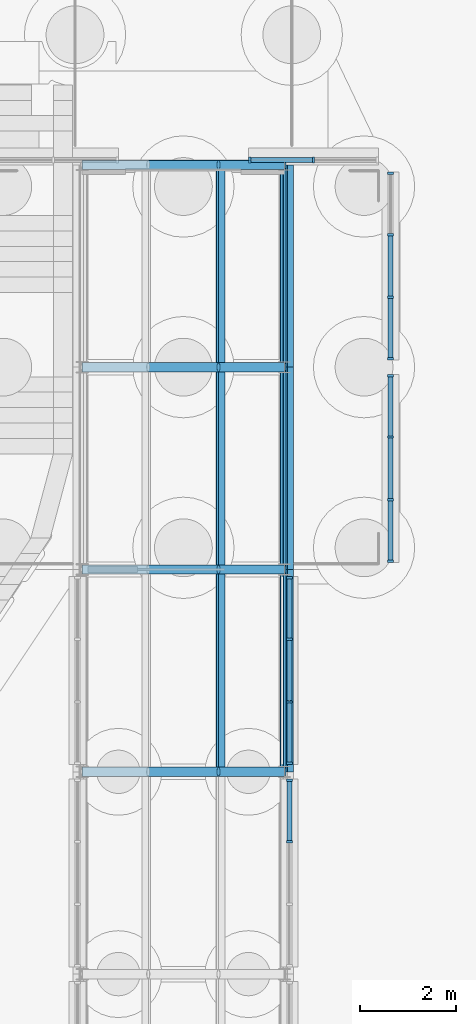
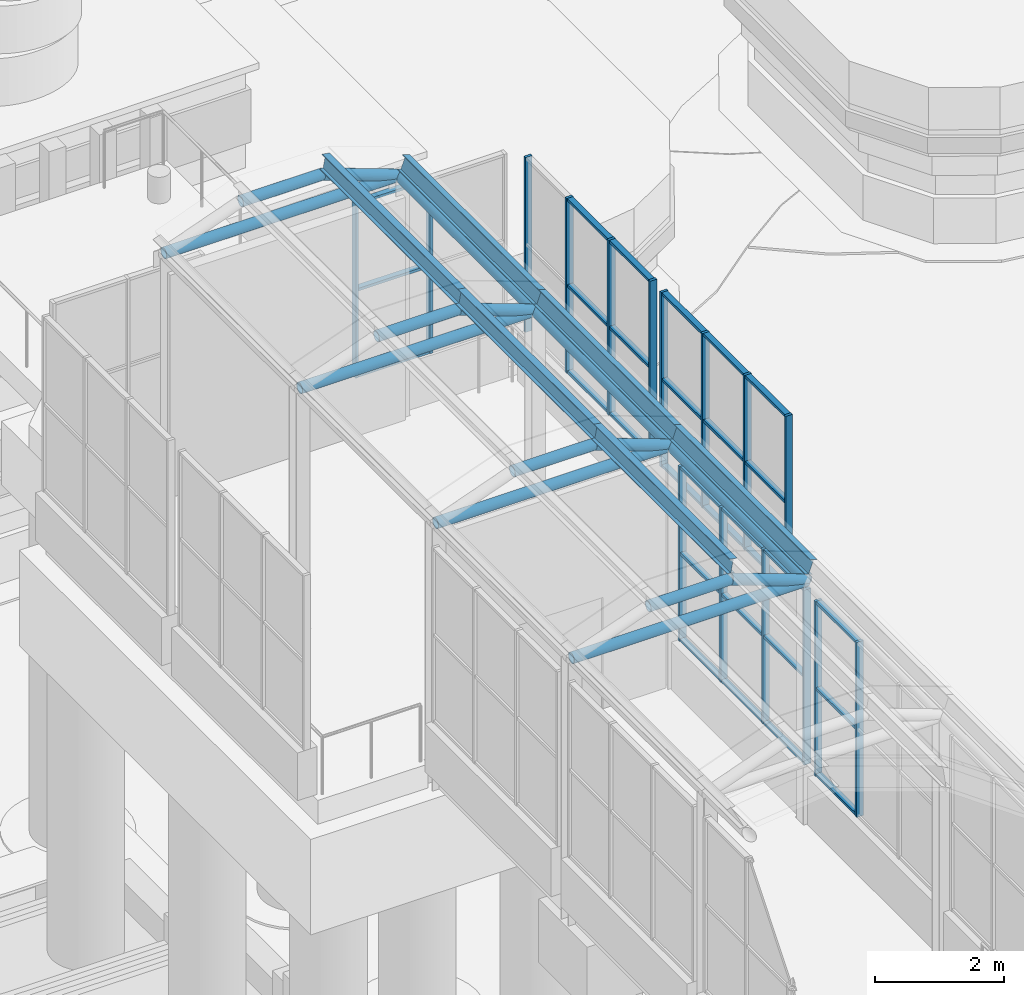
# One storey, part 68 of 222: 56 members, 11 beams, 5 elements without a shape of their own.
"""IFC4 building model written with IfcOpenShell, lengths in metres."""

from ifc_helpers import new_model, si_unit, direction, frame, origin, origin_2d, place, context, subcontext, project, spatial, rectangle, hollow_circle, i_section, extrude, material, material_profile, profile_set, type_object, element, aggregate, save


model = new_model("IFC4")

# Units and contexts
model_context = context("Model", 3, precision=1e-05, world=origin(), true_north=direction((0.0, 1.0)))
body_context = subcontext(model_context, "Body", "Model", "MODEL_VIEW")
ifc_project = project(units=[si_unit("LENGTHUNIT", "METRE"), si_unit("AREAUNIT", "SQUARE_METRE"), si_unit("VOLUMEUNIT", "CUBIC_METRE"), si_unit("PLANEANGLEUNIT", "RADIAN"), si_unit("MASSUNIT", "GRAM", prefix="KILO")], contexts=[model_context])

# Site, building, storey
site_placement = place(None, origin())
site = spatial("IfcSite", under=ifc_project, at=site_placement, CompositionType="ELEMENT")
building_placement = place(site_placement, origin())
building = spatial("IfcBuilding", under=site, at=building_placement, Name="Sava Quay Ferry Terminal", CompositionType="ELEMENT")
storey_placement = place(building_placement, origin())
storey = spatial("IfcBuildingStorey", under=building, at=storey_placement, Name="L00", CompositionType="ELEMENT", Elevation=0.0)

# Beams
ifc_material_1 = material(Name="Steel S355", Category="steel")
ifc_material_profile_1 = material_profile(ifc_material_1, hollow_circle(Radius=0.096923828125, WallThickness=0.008056640625, at=origin_2d()), Name="CHS 193.7 x 8.0")
ifc_profile_set_1 = profile_set([ifc_material_profile_1], Name="Steel S355")
beam_type_1 = type_object("IfcBeamType", Name="Gallery eave beam CHS 193.7x8", PredefinedType="BEAM", material=ifc_profile_set_1)
beam_1_placement = place(storey_placement, frame((50.39990234375, 130.199951171875, 4.5), z_axis=(0.0, 1.0, 0.0), x_axis=(-1.0, 0.0, 0.0)))
element("IfcBeam", 1, at=beam_1_placement, inside=storey, type_object=beam_type_1, Name="Boarding gallery B1 eave beam R6", PredefinedType="BEAM", context=body_context, shape_type="SweptSolid", body=[
    extrude(hollow_circle(Radius=0.096923828125, WallThickness=0.008056640625, at=origin_2d()), origin(), (0.0, 0.0, 1.0), 4.199951171875),
])
beam_2_placement = place(storey_placement, frame((50.39990234375, 134.39990234375, 4.5), z_axis=(0.0, 1.0, 0.0), x_axis=(-1.0, 0.0, 0.0)))
element("IfcBeam", 2, at=beam_2_placement, inside=storey, type_object=beam_type_1, Name="Boarding gallery B1 eave beam R7", PredefinedType="BEAM", context=body_context, shape_type="SweptSolid", body=[
    extrude(hollow_circle(Radius=0.096923828125, WallThickness=0.008056640625, at=origin_2d()), origin(), (0.0, 0.0, 1.0), 4.2001953125),
])
beam_3_placement = place(storey_placement, frame((50.39990234375, 138.60009765625, 4.5), z_axis=(0.0, 1.0, 0.0), x_axis=(-1.0, 0.0, 0.0)))
element("IfcBeam", 3, at=beam_3_placement, inside=storey, type_object=beam_type_1, Name="Boarding gallery B1 eave beam R8", PredefinedType="BEAM", context=body_context, shape_type="SweptSolid", body=[
    extrude(hollow_circle(Radius=0.096923828125, WallThickness=0.008056640625, at=origin_2d()), origin(), (0.0, 0.0, 1.0), 4.199951171875),
])

# Members
ifc_material_2 = material(Name="Steel S355", Category="steel")
ifc_material_profile_2 = material_profile(ifc_material_2, i_section(OverallWidth=0.135009765625, OverallDepth=0.27001953125, WebThickness=0.006591796875, FlangeThickness=0.01025390625, at=origin_2d()), Name="IPE 270")
ifc_profile_set_2 = profile_set([ifc_material_profile_2], Name="Steel S355")
member_type_1 = type_object("IfcMemberType", Name="Gallery purlin IPE 270", PredefinedType="PURLIN", material=ifc_profile_set_2)
for number, where, z_axis, x_axis, name in (
    (4, (49.0703125, 130.199951171875, 5.230712890625), (0.0, 1.0, 0.0), (-0.984807753012, 0.0, 0.173648177667), "Boarding gallery B1 purlin bay 6 V2"),
    (5, (50.479248046875, 130.199951171875, 4.718017578125), (0.0, 1.0, 0.0), (-0.939692620786, 0.0, 0.342020143326), "Boarding gallery B1 edge purlin bay 6 V3"),
):
    element("IfcMember", number, at=place(storey_placement, frame(where, z_axis=z_axis, x_axis=x_axis)), inside=storey, type_object=member_type_1, Name=name, PredefinedType="PURLIN", context=body_context, shape_type="SweptSolid", body=[
        extrude(i_section(OverallWidth=0.135009765625, OverallDepth=0.27001953125, WebThickness=0.006591796875, FlangeThickness=0.01025390625, at=origin_2d()), origin(), (0.0, 0.0, 1.0), 4.199951171875),
    ])
for number, where, z_axis, x_axis, name in (
    (6, (49.0703125, 134.39990234375, 5.230712890625), (0.0, 1.0, 0.0), (-0.984807753012, 0.0, 0.173648177667), "Boarding gallery B1 purlin bay 7 V2"),
    (7, (50.479248046875, 134.39990234375, 4.718017578125), (0.0, 1.0, 0.0), (-0.939692620786, 0.0, 0.342020143326), "Boarding gallery B1 edge purlin bay 7 V3"),
):
    element("IfcMember", number, at=place(storey_placement, frame(where, z_axis=z_axis, x_axis=x_axis)), inside=storey, type_object=member_type_1, Name=name, PredefinedType="PURLIN", context=body_context, shape_type="SweptSolid", body=[
        extrude(i_section(OverallWidth=0.135009765625, OverallDepth=0.27001953125, WebThickness=0.006591796875, FlangeThickness=0.01025390625, at=origin_2d()), origin(), (0.0, 0.0, 1.0), 4.2001953125),
    ])
for number, where, z_axis, x_axis, name in (
    (8, (49.0703125, 138.60009765625, 5.230712890625), (0.0, 1.0, 0.0), (-0.984807753012, 0.0, 0.173648177667), "Boarding gallery B1 purlin bay 8 V2"),
    (9, (50.479248046875, 138.60009765625, 4.718017578125), (0.0, 1.0, 0.0), (-0.939692620786, 0.0, 0.342020143326), "Boarding gallery B1 edge purlin bay 8 V3"),
):
    element("IfcMember", number, at=place(storey_placement, frame(where, z_axis=z_axis, x_axis=x_axis)), inside=storey, type_object=member_type_1, Name=name, PredefinedType="PURLIN", context=body_context, shape_type="SweptSolid", body=[
        extrude(i_section(OverallWidth=0.135009765625, OverallDepth=0.27001953125, WebThickness=0.006591796875, FlangeThickness=0.01025390625, at=origin_2d()), origin(), (0.0, 0.0, 1.0), 4.199951171875),
    ])

# Beams
ifc_material_3 = material(Name="Steel S355", Category="steel")
ifc_material_profile_3 = material_profile(ifc_material_3, hollow_circle(Radius=0.096923828125, WallThickness=0.008056640625, at=origin_2d()), Name="CHS 193.7 x 8.0")
ifc_profile_set_3 = profile_set([ifc_material_profile_3], Name="Steel S355")
beam_type_2 = type_object("IfcBeamType", Name="Gallery rib CHS 193.7x8", PredefinedType="BEAM", material=ifc_profile_set_3)
beam_4_placement = place(storey_placement, frame((47.570556640625, 130.199951171875, 4.998779296875), z_axis=(1.0, 0.0, 0.0), x_axis=(0.0, 1.0, 0.0)))
element("IfcBeam", 10, at=beam_4_placement, inside=storey, type_object=beam_type_2, Name="Boarding gallery B1 arch rib R5 seg 2", PredefinedType="BEAM", context=body_context, shape_type="SweptSolid", body=[
    extrude(hollow_circle(Radius=0.096923828125, WallThickness=0.008056640625, at=origin_2d()), origin(), (0.0, 0.0, 1.0), 1.458740234375),
])
beam_5_placement = place(storey_placement, frame((49.029296875, 130.199951171875, 4.998779296875), z_axis=(0.939710313144, 0.0, -0.341971530059), x_axis=(0.0, 1.0, 0.0)))
element("IfcBeam", 11, at=beam_5_placement, inside=storey, type_object=beam_type_2, Name="Boarding gallery B1 arch rib R5 seg 3", PredefinedType="BEAM", context=body_context, shape_type="SweptSolid", body=[
    extrude(hollow_circle(Radius=0.096923828125, WallThickness=0.008056640625, at=origin_2d()), origin(), (0.0, 0.0, 1.0), 1.45849609375),
])
beam_6_placement = place(storey_placement, frame((47.570556640625, 134.39990234375, 4.998779296875), z_axis=(1.0, 0.0, 0.0), x_axis=(0.0, 1.0, 0.0)))
element("IfcBeam", 12, at=beam_6_placement, inside=storey, type_object=beam_type_2, Name="Boarding gallery B1 arch rib R6 seg 2", PredefinedType="BEAM", context=body_context, shape_type="SweptSolid", body=[
    extrude(hollow_circle(Radius=0.096923828125, WallThickness=0.008056640625, at=origin_2d()), origin(), (0.0, 0.0, 1.0), 1.458740234375),
])
beam_7_placement = place(storey_placement, frame((49.029296875, 134.39990234375, 4.998779296875), z_axis=(0.939710313144, 0.0, -0.341971530059), x_axis=(0.0, 1.0, 0.0)))
element("IfcBeam", 13, at=beam_7_placement, inside=storey, type_object=beam_type_2, Name="Boarding gallery B1 arch rib R6 seg 3", PredefinedType="BEAM", context=body_context, shape_type="SweptSolid", body=[
    extrude(hollow_circle(Radius=0.096923828125, WallThickness=0.008056640625, at=origin_2d()), origin(), (0.0, 0.0, 1.0), 1.45849609375),
])
beam_8_placement = place(storey_placement, frame((47.570556640625, 138.60009765625, 4.998779296875), z_axis=(1.0, 0.0, 0.0), x_axis=(0.0, 1.0, 0.0)))
element("IfcBeam", 14, at=beam_8_placement, inside=storey, type_object=beam_type_2, Name="Boarding gallery B1 arch rib R7 seg 2", PredefinedType="BEAM", context=body_context, shape_type="SweptSolid", body=[
    extrude(hollow_circle(Radius=0.096923828125, WallThickness=0.008056640625, at=origin_2d()), origin(), (0.0, 0.0, 1.0), 1.458740234375),
])
beam_9_placement = place(storey_placement, frame((49.029296875, 138.60009765625, 4.998779296875), z_axis=(0.939710313144, 0.0, -0.341971530059), x_axis=(0.0, 1.0, 0.0)))
element("IfcBeam", 15, at=beam_9_placement, inside=storey, type_object=beam_type_2, Name="Boarding gallery B1 arch rib R7 seg 3", PredefinedType="BEAM", context=body_context, shape_type="SweptSolid", body=[
    extrude(hollow_circle(Radius=0.096923828125, WallThickness=0.008056640625, at=origin_2d()), origin(), (0.0, 0.0, 1.0), 1.45849609375),
])
beam_10_placement = place(storey_placement, frame((47.570556640625, 142.800048828125, 4.998779296875), z_axis=(1.0, 0.0, 0.0), x_axis=(0.0, 1.0, 0.0)))
element("IfcBeam", 16, at=beam_10_placement, inside=storey, type_object=beam_type_2, Name="Boarding gallery B1 arch rib R8 seg 2", PredefinedType="BEAM", context=body_context, shape_type="SweptSolid", body=[
    extrude(hollow_circle(Radius=0.096923828125, WallThickness=0.008056640625, at=origin_2d()), origin(), (0.0, 0.0, 1.0), 1.458740234375),
])
beam_11_placement = place(storey_placement, frame((49.029296875, 142.800048828125, 4.998779296875), z_axis=(0.939710313144, 0.0, -0.341971530059), x_axis=(0.0, 1.0, 0.0)))
element("IfcBeam", 17, at=beam_11_placement, inside=storey, type_object=beam_type_2, Name="Boarding gallery B1 arch rib R8 seg 3", PredefinedType="BEAM", context=body_context, shape_type="SweptSolid", body=[
    extrude(hollow_circle(Radius=0.096923828125, WallThickness=0.008056640625, at=origin_2d()), origin(), (0.0, 0.0, 1.0), 1.45849609375),
])

# Members
ifc_material_4 = material(Name="Steel S355", Category="steel")
ifc_material_profile_4 = material_profile(ifc_material_4, hollow_circle(Radius=0.096923828125, WallThickness=0.008056640625, at=origin_2d()), Name="CHS 193.7 x 8.0")
ifc_profile_set_4 = profile_set([ifc_material_profile_4], Name="Steel S355")
member_type_2 = type_object("IfcMemberType", Name="Gallery tie CHS 193.7x8", PredefinedType="USERDEFINED", material=ifc_profile_set_4)
for number, where, z_axis, x_axis, name in (
    (18, (46.199951171875, 130.199951171875, 4.5), (1.0, 0.0, 0.0), (0.0, 1.0, 0.0), "Boarding gallery B1 arch tie R5"),
    (19, (46.199951171875, 134.39990234375, 4.5), (1.0, 0.0, 0.0), (0.0, 1.0, 0.0), "Boarding gallery B1 arch tie R6"),
    (20, (46.199951171875, 138.60009765625, 4.5), (1.0, 0.0, 0.0), (0.0, 1.0, 0.0), "Boarding gallery B1 arch tie R7"),
    (21, (46.199951171875, 142.800048828125, 4.5), (1.0, 0.0, 0.0), (0.0, 1.0, 0.0), "Boarding gallery B1 arch tie R8"),
):
    element("IfcMember", number, at=place(storey_placement, frame(where, z_axis=z_axis, x_axis=x_axis)), inside=storey, type_object=member_type_2, Name=name, ObjectType="ARCH TIE", PredefinedType="USERDEFINED", context=body_context, shape_type="SweptSolid", body=[
        extrude(hollow_circle(Radius=0.096923828125, WallThickness=0.008056640625, at=origin_2d()), origin(), (0.0, 0.0, 1.0), 4.199951171875),
    ])

# Curtain wall, members
ifc_material_5 = material(Name="Aluminium and glass curtain wall, double glazed", Category="aluminium")
curtain_wall_type = type_object("IfcCurtainWallType", Name="Curtain wall CW-B gallery", PredefinedType="NOTDEFINED", material=ifc_material_5)
curtain_wall_1_placement = place(storey_placement, origin())
curtain_wall_1 = element("IfcCurtainWall", 22, at=curtain_wall_1_placement, inside=storey, type_object=curtain_wall_type, Name="Curtain wall B1-E L00 bay 5", PredefinedType="NOTDEFINED")
ifc_material_6 = material(Name="Aluminium EN AW-6063 T6", Category="aluminium")
ifc_material_profile_5 = material_profile(ifc_material_6, rectangle(XDim=0.1201171875, YDim=0.050048828125, at=origin_2d()), Name="Mullion 50x120 aluminium")
ifc_profile_set_5 = profile_set([ifc_material_profile_5], Name="Aluminium EN AW-6063 T6")
member_type_3 = type_object("IfcMemberType", Name="Mullion 50x120 aluminium", PredefinedType="MULLION", material=ifc_profile_set_5)
member_1_placement = place(storey_placement, frame((50.5, 128.75, 0.89990234375), z_axis=(0.0, 0.0, 1.0), x_axis=(-1.0, 0.0, 0.0)))
member_1 = element("IfcMember", 23, at=member_1_placement, type_object=member_type_3, Name="CW5 mullion 3", PredefinedType="MULLION", context=body_context, shape_type="SweptSolid", body=[
    extrude(rectangle(XDim=0.1201171875, YDim=0.050048828125, at=origin_2d()), origin(), (0.0, 0.0, 1.0), 3.300048828125),
])
member_2_placement = place(storey_placement, frame((50.5, 130.02490234375, 0.89990234375), z_axis=(0.0, 0.0, 1.0), x_axis=(-1.0, 0.0, 0.0)))
member_2 = element("IfcMember", 24, at=member_2_placement, type_object=member_type_3, Name="CW5 mullion 4", PredefinedType="MULLION", context=body_context, shape_type="SweptSolid", body=[
    extrude(rectangle(XDim=0.1201171875, YDim=0.050048828125, at=origin_2d()), origin(), (0.0, 0.0, 1.0), 3.300048828125),
])

curtain_wall_2_placement = place(storey_placement, origin())
curtain_wall_2 = element("IfcCurtainWall", 25, at=curtain_wall_2_placement, inside=storey, type_object=curtain_wall_type, Name="Curtain wall B1-E L00 bay 6", PredefinedType="NOTDEFINED")
member_3_placement = place(storey_placement, frame((50.5, 130.375, 0.89990234375), z_axis=(0.0, 0.0, 1.0), x_axis=(-1.0, 0.0, 0.0)))
member_3 = element("IfcMember", 26, at=member_3_placement, type_object=member_type_3, Name="CW6 mullion 1", PredefinedType="MULLION", context=body_context, shape_type="SweptSolid", body=[
    extrude(rectangle(XDim=0.1201171875, YDim=0.050048828125, at=origin_2d()), origin(), (0.0, 0.0, 1.0), 3.300048828125),
])
member_4_placement = place(storey_placement, frame((50.5, 131.64990234375, 0.89990234375), z_axis=(0.0, 0.0, 1.0), x_axis=(-1.0, 0.0, 0.0)))
member_4 = element("IfcMember", 27, at=member_4_placement, type_object=member_type_3, Name="CW6 mullion 2", PredefinedType="MULLION", context=body_context, shape_type="SweptSolid", body=[
    extrude(rectangle(XDim=0.1201171875, YDim=0.050048828125, at=origin_2d()), origin(), (0.0, 0.0, 1.0), 3.300048828125),
])
member_5_placement = place(storey_placement, frame((50.5, 132.949951171875, 0.89990234375), z_axis=(0.0, 0.0, 1.0), x_axis=(-1.0, 0.0, 0.0)))
member_5 = element("IfcMember", 28, at=member_5_placement, type_object=member_type_3, Name="CW6 mullion 3", PredefinedType="MULLION", context=body_context, shape_type="SweptSolid", body=[
    extrude(rectangle(XDim=0.1201171875, YDim=0.050048828125, at=origin_2d()), origin(), (0.0, 0.0, 1.0), 3.300048828125),
])
member_6_placement = place(storey_placement, frame((50.5, 134.22509765625, 0.89990234375), z_axis=(0.0, 0.0, 1.0), x_axis=(-1.0, 0.0, 0.0)))
member_6 = element("IfcMember", 29, at=member_6_placement, type_object=member_type_3, Name="CW6 mullion 4", PredefinedType="MULLION", context=body_context, shape_type="SweptSolid", body=[
    extrude(rectangle(XDim=0.1201171875, YDim=0.050048828125, at=origin_2d()), origin(), (0.0, 0.0, 1.0), 3.300048828125),
])

curtain_wall_3_placement = place(storey_placement, origin())
curtain_wall_3 = element("IfcCurtainWall", 30, at=curtain_wall_3_placement, inside=storey, type_object=curtain_wall_type, Name="Curtain wall B1-HE L00 bay 1", PredefinedType="NOTDEFINED")
member_7_placement = place(storey_placement, frame((52.60009765625, 134.574951171875, 0.89990234375), z_axis=(0.0, 0.0, 1.0), x_axis=(-1.0, 0.0, 0.0)))
member_7 = element("IfcMember", 31, at=member_7_placement, type_object=member_type_3, Name="CW7 mullion 1", PredefinedType="MULLION", context=body_context, shape_type="SweptSolid", body=[
    extrude(rectangle(XDim=0.1201171875, YDim=0.050048828125, at=origin_2d()), origin(), (0.0, 0.0, 1.0), 3.300048828125),
])
member_8_placement = place(storey_placement, frame((52.60009765625, 135.85009765625, 0.89990234375), z_axis=(0.0, 0.0, 1.0), x_axis=(-1.0, 0.0, 0.0)))
member_8 = element("IfcMember", 32, at=member_8_placement, type_object=member_type_3, Name="CW7 mullion 2", PredefinedType="MULLION", context=body_context, shape_type="SweptSolid", body=[
    extrude(rectangle(XDim=0.1201171875, YDim=0.050048828125, at=origin_2d()), origin(), (0.0, 0.0, 1.0), 3.300048828125),
])
member_9_placement = place(storey_placement, frame((52.60009765625, 137.14990234375, 0.89990234375), z_axis=(0.0, 0.0, 1.0), x_axis=(-1.0, 0.0, 0.0)))
member_9 = element("IfcMember", 33, at=member_9_placement, type_object=member_type_3, Name="CW7 mullion 3", PredefinedType="MULLION", context=body_context, shape_type="SweptSolid", body=[
    extrude(rectangle(XDim=0.1201171875, YDim=0.050048828125, at=origin_2d()), origin(), (0.0, 0.0, 1.0), 3.300048828125),
])
member_10_placement = place(storey_placement, frame((52.60009765625, 138.425048828125, 0.89990234375), z_axis=(0.0, 0.0, 1.0), x_axis=(-1.0, 0.0, 0.0)))
member_10 = element("IfcMember", 34, at=member_10_placement, type_object=member_type_3, Name="CW7 mullion 4", PredefinedType="MULLION", context=body_context, shape_type="SweptSolid", body=[
    extrude(rectangle(XDim=0.1201171875, YDim=0.050048828125, at=origin_2d()), origin(), (0.0, 0.0, 1.0), 3.300048828125),
])

curtain_wall_4_placement = place(storey_placement, origin())
curtain_wall_4 = element("IfcCurtainWall", 35, at=curtain_wall_4_placement, inside=storey, type_object=curtain_wall_type, Name="Curtain wall B1-HE L00 bay 2", PredefinedType="NOTDEFINED")
member_11_placement = place(storey_placement, frame((52.60009765625, 138.77490234375, 0.89990234375), z_axis=(0.0, 0.0, 1.0), x_axis=(-1.0, 0.0, 0.0)))
member_11 = element("IfcMember", 36, at=member_11_placement, type_object=member_type_3, Name="CW8 mullion 1", PredefinedType="MULLION", context=body_context, shape_type="SweptSolid", body=[
    extrude(rectangle(XDim=0.1201171875, YDim=0.050048828125, at=origin_2d()), origin(), (0.0, 0.0, 1.0), 3.300048828125),
])
member_12_placement = place(storey_placement, frame((52.60009765625, 140.050048828125, 0.89990234375), z_axis=(0.0, 0.0, 1.0), x_axis=(-1.0, 0.0, 0.0)))
member_12 = element("IfcMember", 37, at=member_12_placement, type_object=member_type_3, Name="CW8 mullion 2", PredefinedType="MULLION", context=body_context, shape_type="SweptSolid", body=[
    extrude(rectangle(XDim=0.1201171875, YDim=0.050048828125, at=origin_2d()), origin(), (0.0, 0.0, 1.0), 3.300048828125),
])
member_13_placement = place(storey_placement, frame((52.60009765625, 141.35009765625, 0.89990234375), z_axis=(0.0, 0.0, 1.0), x_axis=(-1.0, 0.0, 0.0)))
member_13 = element("IfcMember", 38, at=member_13_placement, type_object=member_type_3, Name="CW8 mullion 3", PredefinedType="MULLION", context=body_context, shape_type="SweptSolid", body=[
    extrude(rectangle(XDim=0.1201171875, YDim=0.050048828125, at=origin_2d()), origin(), (0.0, 0.0, 1.0), 3.300048828125),
])
member_14_placement = place(storey_placement, frame((52.60009765625, 142.625, 0.89990234375), z_axis=(0.0, 0.0, 1.0), x_axis=(-1.0, 0.0, 0.0)))
member_14 = element("IfcMember", 39, at=member_14_placement, type_object=member_type_3, Name="CW8 mullion 4", PredefinedType="MULLION", context=body_context, shape_type="SweptSolid", body=[
    extrude(rectangle(XDim=0.1201171875, YDim=0.050048828125, at=origin_2d()), origin(), (0.0, 0.0, 1.0), 3.300048828125),
])

curtain_wall_5_placement = place(storey_placement, origin())
curtain_wall_5 = element("IfcCurtainWall", 40, at=curtain_wall_5_placement, inside=storey, type_object=curtain_wall_type, Name="Curtain wall B1-HN L00 bay 2", PredefinedType="NOTDEFINED")
member_15_placement = place(storey_placement, frame((49.675048828125, 142.89990234375, 0.89990234375), z_axis=(0.0, 0.0, 1.0), x_axis=(0.0, 1.0, 0.0)))
member_15 = element("IfcMember", 41, at=member_15_placement, type_object=member_type_3, Name="CW10 mullion 1", PredefinedType="MULLION", context=body_context, shape_type="SweptSolid", body=[
    extrude(rectangle(XDim=0.1201171875, YDim=0.050048828125, at=origin_2d()), origin(), (0.0, 0.0, 1.0), 3.300048828125),
])
member_16_placement = place(storey_placement, frame((51.0, 142.89990234375, 0.89990234375), z_axis=(0.0, 0.0, 1.0), x_axis=(0.0, 1.0, 0.0)))
member_16 = element("IfcMember", 42, at=member_16_placement, type_object=member_type_3, Name="CW10 mullion 2", PredefinedType="MULLION", context=body_context, shape_type="SweptSolid", body=[
    extrude(rectangle(XDim=0.1201171875, YDim=0.050048828125, at=origin_2d()), origin(), (0.0, 0.0, 1.0), 3.300048828125),
])

# Member
ifc_material_7 = material(Name="Aluminium EN AW-6063 T6", Category="aluminium")
ifc_material_profile_6 = material_profile(ifc_material_7, rectangle(XDim=0.10009765625, YDim=0.050048828125, at=origin_2d()), Name="Transom 50x100 aluminium")
ifc_profile_set_6 = profile_set([ifc_material_profile_6], Name="Aluminium EN AW-6063 T6")
member_type_4 = type_object("IfcMemberType", Name="Transom 50x100 aluminium", PredefinedType="USERDEFINED", material=ifc_profile_set_6)
member_17_placement = place(storey_placement, frame((50.5, 128.77490234375, 0.925048828125), z_axis=(0.0, 1.0, 0.0), x_axis=(-1.0, 0.0, 0.0)))
member_17 = element("IfcMember", 43, at=member_17_placement, type_object=member_type_4, Name="CW5 transom 3.1", ObjectType="TRANSOM", PredefinedType="USERDEFINED", context=body_context, shape_type="SweptSolid", body=[
    extrude(rectangle(XDim=0.10009765625, YDim=0.050048828125, at=origin_2d()), origin(), (0.0, 0.0, 1.0), 1.22509765625),
])

member_18_placement = place(storey_placement, frame((50.5, 128.77490234375, 2.550048828125), z_axis=(0.0, 1.0, 0.0), x_axis=(-1.0, 0.0, 0.0)))
member_18 = element("IfcMember", 44, at=member_18_placement, type_object=member_type_4, Name="CW5 transom 3.2", ObjectType="TRANSOM", PredefinedType="USERDEFINED", context=body_context, shape_type="SweptSolid", body=[
    extrude(rectangle(XDim=0.10009765625, YDim=0.050048828125, at=origin_2d()), origin(), (0.0, 0.0, 1.0), 1.22509765625),
])

member_19_placement = place(storey_placement, frame((50.5, 128.77490234375, 4.175048828125), z_axis=(0.0, 1.0, 0.0), x_axis=(-1.0, 0.0, 0.0)))
member_19 = element("IfcMember", 45, at=member_19_placement, type_object=member_type_4, Name="CW5 transom 3.3", ObjectType="TRANSOM", PredefinedType="USERDEFINED", context=body_context, shape_type="SweptSolid", body=[
    extrude(rectangle(XDim=0.10009765625, YDim=0.050048828125, at=origin_2d()), origin(), (0.0, 0.0, 1.0), 1.22509765625),
])

aggregate(curtain_wall_1, [member_1, member_2, member_17, member_18, member_19])

member_20_placement = place(storey_placement, frame((50.5, 130.39990234375, 0.925048828125), z_axis=(0.0, 1.0, 0.0), x_axis=(-1.0, 0.0, 0.0)))
member_20 = element("IfcMember", 46, at=member_20_placement, type_object=member_type_4, Name="CW6 transom 1.1", ObjectType="TRANSOM", PredefinedType="USERDEFINED", context=body_context, shape_type="SweptSolid", body=[
    extrude(rectangle(XDim=0.10009765625, YDim=0.050048828125, at=origin_2d()), origin(), (0.0, 0.0, 1.0), 1.22509765625),
])

member_21_placement = place(storey_placement, frame((50.5, 130.39990234375, 2.550048828125), z_axis=(0.0, 1.0, 0.0), x_axis=(-1.0, 0.0, 0.0)))
member_21 = element("IfcMember", 47, at=member_21_placement, type_object=member_type_4, Name="CW6 transom 1.2", ObjectType="TRANSOM", PredefinedType="USERDEFINED", context=body_context, shape_type="SweptSolid", body=[
    extrude(rectangle(XDim=0.10009765625, YDim=0.050048828125, at=origin_2d()), origin(), (0.0, 0.0, 1.0), 1.22509765625),
])

member_22_placement = place(storey_placement, frame((50.5, 130.39990234375, 4.175048828125), z_axis=(0.0, 1.0, 0.0), x_axis=(-1.0, 0.0, 0.0)))
member_22 = element("IfcMember", 48, at=member_22_placement, type_object=member_type_4, Name="CW6 transom 1.3", ObjectType="TRANSOM", PredefinedType="USERDEFINED", context=body_context, shape_type="SweptSolid", body=[
    extrude(rectangle(XDim=0.10009765625, YDim=0.050048828125, at=origin_2d()), origin(), (0.0, 0.0, 1.0), 1.22509765625),
])

member_23_placement = place(storey_placement, frame((50.5, 131.675048828125, 0.925048828125), z_axis=(0.0, 1.0, 0.0), x_axis=(-1.0, 0.0, 0.0)))
member_23 = element("IfcMember", 49, at=member_23_placement, type_object=member_type_4, Name="CW6 transom 2.1", ObjectType="TRANSOM", PredefinedType="USERDEFINED", context=body_context, shape_type="SweptSolid", body=[
    extrude(rectangle(XDim=0.10009765625, YDim=0.050048828125, at=origin_2d()), origin(), (0.0, 0.0, 1.0), 1.25),
])

member_24_placement = place(storey_placement, frame((50.5, 131.675048828125, 2.550048828125), z_axis=(0.0, 1.0, 0.0), x_axis=(-1.0, 0.0, 0.0)))
member_24 = element("IfcMember", 50, at=member_24_placement, type_object=member_type_4, Name="CW6 transom 2.2", ObjectType="TRANSOM", PredefinedType="USERDEFINED", context=body_context, shape_type="SweptSolid", body=[
    extrude(rectangle(XDim=0.10009765625, YDim=0.050048828125, at=origin_2d()), origin(), (0.0, 0.0, 1.0), 1.25),
])

member_25_placement = place(storey_placement, frame((50.5, 131.675048828125, 4.175048828125), z_axis=(0.0, 1.0, 0.0), x_axis=(-1.0, 0.0, 0.0)))
member_25 = element("IfcMember", 51, at=member_25_placement, type_object=member_type_4, Name="CW6 transom 2.3", ObjectType="TRANSOM", PredefinedType="USERDEFINED", context=body_context, shape_type="SweptSolid", body=[
    extrude(rectangle(XDim=0.10009765625, YDim=0.050048828125, at=origin_2d()), origin(), (0.0, 0.0, 1.0), 1.25),
])

member_26_placement = place(storey_placement, frame((50.5, 132.97509765625, 0.925048828125), z_axis=(0.0, 1.0, 0.0), x_axis=(-1.0, 0.0, 0.0)))
member_26 = element("IfcMember", 52, at=member_26_placement, type_object=member_type_4, Name="CW6 transom 3.1", ObjectType="TRANSOM", PredefinedType="USERDEFINED", context=body_context, shape_type="SweptSolid", body=[
    extrude(rectangle(XDim=0.10009765625, YDim=0.050048828125, at=origin_2d()), origin(), (0.0, 0.0, 1.0), 1.224853515625),
])

member_27_placement = place(storey_placement, frame((50.5, 132.97509765625, 2.550048828125), z_axis=(0.0, 1.0, 0.0), x_axis=(-1.0, 0.0, 0.0)))
member_27 = element("IfcMember", 53, at=member_27_placement, type_object=member_type_4, Name="CW6 transom 3.2", ObjectType="TRANSOM", PredefinedType="USERDEFINED", context=body_context, shape_type="SweptSolid", body=[
    extrude(rectangle(XDim=0.10009765625, YDim=0.050048828125, at=origin_2d()), origin(), (0.0, 0.0, 1.0), 1.224853515625),
])

member_28_placement = place(storey_placement, frame((50.5, 132.97509765625, 4.175048828125), z_axis=(0.0, 1.0, 0.0), x_axis=(-1.0, 0.0, 0.0)))
member_28 = element("IfcMember", 54, at=member_28_placement, type_object=member_type_4, Name="CW6 transom 3.3", ObjectType="TRANSOM", PredefinedType="USERDEFINED", context=body_context, shape_type="SweptSolid", body=[
    extrude(rectangle(XDim=0.10009765625, YDim=0.050048828125, at=origin_2d()), origin(), (0.0, 0.0, 1.0), 1.224853515625),
])

aggregate(curtain_wall_2, [member_3, member_4, member_5, member_6, member_20, member_21, member_22, member_23, member_24, member_25, member_26, member_27, member_28])

member_29_placement = place(storey_placement, frame((52.60009765625, 134.60009765625, 0.925048828125), z_axis=(0.0, 1.0, 0.0), x_axis=(-1.0, 0.0, 0.0)))
member_29 = element("IfcMember", 55, at=member_29_placement, type_object=member_type_4, Name="CW7 transom 1.1", ObjectType="TRANSOM", PredefinedType="USERDEFINED", context=body_context, shape_type="SweptSolid", body=[
    extrude(rectangle(XDim=0.10009765625, YDim=0.050048828125, at=origin_2d()), origin(), (0.0, 0.0, 1.0), 1.224853515625),
])

member_30_placement = place(storey_placement, frame((52.60009765625, 134.60009765625, 2.550048828125), z_axis=(0.0, 1.0, 0.0), x_axis=(-1.0, 0.0, 0.0)))
member_30 = element("IfcMember", 56, at=member_30_placement, type_object=member_type_4, Name="CW7 transom 1.2", ObjectType="TRANSOM", PredefinedType="USERDEFINED", context=body_context, shape_type="SweptSolid", body=[
    extrude(rectangle(XDim=0.10009765625, YDim=0.050048828125, at=origin_2d()), origin(), (0.0, 0.0, 1.0), 1.224853515625),
])

member_31_placement = place(storey_placement, frame((52.60009765625, 134.60009765625, 4.175048828125), z_axis=(0.0, 1.0, 0.0), x_axis=(-1.0, 0.0, 0.0)))
member_31 = element("IfcMember", 57, at=member_31_placement, type_object=member_type_4, Name="CW7 transom 1.3", ObjectType="TRANSOM", PredefinedType="USERDEFINED", context=body_context, shape_type="SweptSolid", body=[
    extrude(rectangle(XDim=0.10009765625, YDim=0.050048828125, at=origin_2d()), origin(), (0.0, 0.0, 1.0), 1.224853515625),
])

member_32_placement = place(storey_placement, frame((52.60009765625, 135.875, 0.925048828125), z_axis=(0.0, 1.0, 0.0), x_axis=(-1.0, 0.0, 0.0)))
member_32 = element("IfcMember", 58, at=member_32_placement, type_object=member_type_4, Name="CW7 transom 2.1", ObjectType="TRANSOM", PredefinedType="USERDEFINED", context=body_context, shape_type="SweptSolid", body=[
    extrude(rectangle(XDim=0.10009765625, YDim=0.050048828125, at=origin_2d()), origin(), (0.0, 0.0, 1.0), 1.25),
])

member_33_placement = place(storey_placement, frame((52.60009765625, 135.875, 2.550048828125), z_axis=(0.0, 1.0, 0.0), x_axis=(-1.0, 0.0, 0.0)))
member_33 = element("IfcMember", 59, at=member_33_placement, type_object=member_type_4, Name="CW7 transom 2.2", ObjectType="TRANSOM", PredefinedType="USERDEFINED", context=body_context, shape_type="SweptSolid", body=[
    extrude(rectangle(XDim=0.10009765625, YDim=0.050048828125, at=origin_2d()), origin(), (0.0, 0.0, 1.0), 1.25),
])

member_34_placement = place(storey_placement, frame((52.60009765625, 135.875, 4.175048828125), z_axis=(0.0, 1.0, 0.0), x_axis=(-1.0, 0.0, 0.0)))
member_34 = element("IfcMember", 60, at=member_34_placement, type_object=member_type_4, Name="CW7 transom 2.3", ObjectType="TRANSOM", PredefinedType="USERDEFINED", context=body_context, shape_type="SweptSolid", body=[
    extrude(rectangle(XDim=0.10009765625, YDim=0.050048828125, at=origin_2d()), origin(), (0.0, 0.0, 1.0), 1.25),
])

member_35_placement = place(storey_placement, frame((52.60009765625, 137.175048828125, 0.925048828125), z_axis=(0.0, 1.0, 0.0), x_axis=(-1.0, 0.0, 0.0)))
member_35 = element("IfcMember", 61, at=member_35_placement, type_object=member_type_4, Name="CW7 transom 3.1", ObjectType="TRANSOM", PredefinedType="USERDEFINED", context=body_context, shape_type="SweptSolid", body=[
    extrude(rectangle(XDim=0.10009765625, YDim=0.050048828125, at=origin_2d()), origin(), (0.0, 0.0, 1.0), 1.224853515625),
])

member_36_placement = place(storey_placement, frame((52.60009765625, 137.175048828125, 2.550048828125), z_axis=(0.0, 1.0, 0.0), x_axis=(-1.0, 0.0, 0.0)))
member_36 = element("IfcMember", 62, at=member_36_placement, type_object=member_type_4, Name="CW7 transom 3.2", ObjectType="TRANSOM", PredefinedType="USERDEFINED", context=body_context, shape_type="SweptSolid", body=[
    extrude(rectangle(XDim=0.10009765625, YDim=0.050048828125, at=origin_2d()), origin(), (0.0, 0.0, 1.0), 1.224853515625),
])

member_37_placement = place(storey_placement, frame((52.60009765625, 137.175048828125, 4.175048828125), z_axis=(0.0, 1.0, 0.0), x_axis=(-1.0, 0.0, 0.0)))
member_37 = element("IfcMember", 63, at=member_37_placement, type_object=member_type_4, Name="CW7 transom 3.3", ObjectType="TRANSOM", PredefinedType="USERDEFINED", context=body_context, shape_type="SweptSolid", body=[
    extrude(rectangle(XDim=0.10009765625, YDim=0.050048828125, at=origin_2d()), origin(), (0.0, 0.0, 1.0), 1.224853515625),
])

aggregate(curtain_wall_3, [member_7, member_8, member_9, member_10, member_29, member_30, member_31, member_32, member_33, member_34, member_35, member_36, member_37])

member_38_placement = place(storey_placement, frame((52.60009765625, 138.800048828125, 0.925048828125), z_axis=(0.0, 1.0, 0.0), x_axis=(-1.0, 0.0, 0.0)))
member_38 = element("IfcMember", 64, at=member_38_placement, type_object=member_type_4, Name="CW8 transom 1.1", ObjectType="TRANSOM", PredefinedType="USERDEFINED", context=body_context, shape_type="SweptSolid", body=[
    extrude(rectangle(XDim=0.10009765625, YDim=0.050048828125, at=origin_2d()), origin(), (0.0, 0.0, 1.0), 1.224853515625),
])

member_39_placement = place(storey_placement, frame((52.60009765625, 138.800048828125, 2.550048828125), z_axis=(0.0, 1.0, 0.0), x_axis=(-1.0, 0.0, 0.0)))
member_39 = element("IfcMember", 65, at=member_39_placement, type_object=member_type_4, Name="CW8 transom 1.2", ObjectType="TRANSOM", PredefinedType="USERDEFINED", context=body_context, shape_type="SweptSolid", body=[
    extrude(rectangle(XDim=0.10009765625, YDim=0.050048828125, at=origin_2d()), origin(), (0.0, 0.0, 1.0), 1.224853515625),
])

member_40_placement = place(storey_placement, frame((52.60009765625, 138.800048828125, 4.175048828125), z_axis=(0.0, 1.0, 0.0), x_axis=(-1.0, 0.0, 0.0)))
member_40 = element("IfcMember", 66, at=member_40_placement, type_object=member_type_4, Name="CW8 transom 1.3", ObjectType="TRANSOM", PredefinedType="USERDEFINED", context=body_context, shape_type="SweptSolid", body=[
    extrude(rectangle(XDim=0.10009765625, YDim=0.050048828125, at=origin_2d()), origin(), (0.0, 0.0, 1.0), 1.224853515625),
])

member_41_placement = place(storey_placement, frame((52.60009765625, 140.074951171875, 0.925048828125), z_axis=(0.0, 1.0, 0.0), x_axis=(-1.0, 0.0, 0.0)))
member_41 = element("IfcMember", 67, at=member_41_placement, type_object=member_type_4, Name="CW8 transom 2.1", ObjectType="TRANSOM", PredefinedType="USERDEFINED", context=body_context, shape_type="SweptSolid", body=[
    extrude(rectangle(XDim=0.10009765625, YDim=0.050048828125, at=origin_2d()), origin(), (0.0, 0.0, 1.0), 1.25),
])

member_42_placement = place(storey_placement, frame((52.60009765625, 140.074951171875, 2.550048828125), z_axis=(0.0, 1.0, 0.0), x_axis=(-1.0, 0.0, 0.0)))
member_42 = element("IfcMember", 68, at=member_42_placement, type_object=member_type_4, Name="CW8 transom 2.2", ObjectType="TRANSOM", PredefinedType="USERDEFINED", context=body_context, shape_type="SweptSolid", body=[
    extrude(rectangle(XDim=0.10009765625, YDim=0.050048828125, at=origin_2d()), origin(), (0.0, 0.0, 1.0), 1.25),
])

member_43_placement = place(storey_placement, frame((52.60009765625, 140.074951171875, 4.175048828125), z_axis=(0.0, 1.0, 0.0), x_axis=(-1.0, 0.0, 0.0)))
member_43 = element("IfcMember", 69, at=member_43_placement, type_object=member_type_4, Name="CW8 transom 2.3", ObjectType="TRANSOM", PredefinedType="USERDEFINED", context=body_context, shape_type="SweptSolid", body=[
    extrude(rectangle(XDim=0.10009765625, YDim=0.050048828125, at=origin_2d()), origin(), (0.0, 0.0, 1.0), 1.25),
])

aggregate(curtain_wall_4, [member_11, member_12, member_13, member_14, member_38, member_39, member_40, member_41, member_42, member_43])

member_44_placement = place(storey_placement, frame((49.699951171875, 142.89990234375, 0.925048828125), z_axis=(1.0, 0.0, 0.0), x_axis=(0.0, 1.0, 0.0)))
member_44 = element("IfcMember", 70, at=member_44_placement, type_object=member_type_4, Name="CW10 transom 1.1", ObjectType="TRANSOM", PredefinedType="USERDEFINED", context=body_context, shape_type="SweptSolid", body=[
    extrude(rectangle(XDim=0.10009765625, YDim=0.050048828125, at=origin_2d()), origin(), (0.0, 0.0, 1.0), 1.275146484375),
])

member_45_placement = place(storey_placement, frame((49.699951171875, 142.89990234375, 2.550048828125), z_axis=(1.0, 0.0, 0.0), x_axis=(0.0, 1.0, 0.0)))
member_45 = element("IfcMember", 71, at=member_45_placement, type_object=member_type_4, Name="CW10 transom 1.2", ObjectType="TRANSOM", PredefinedType="USERDEFINED", context=body_context, shape_type="SweptSolid", body=[
    extrude(rectangle(XDim=0.10009765625, YDim=0.050048828125, at=origin_2d()), origin(), (0.0, 0.0, 1.0), 1.275146484375),
])

member_46_placement = place(storey_placement, frame((49.699951171875, 142.89990234375, 4.175048828125), z_axis=(1.0, 0.0, 0.0), x_axis=(0.0, 1.0, 0.0)))
member_46 = element("IfcMember", 72, at=member_46_placement, type_object=member_type_4, Name="CW10 transom 1.3", ObjectType="TRANSOM", PredefinedType="USERDEFINED", context=body_context, shape_type="SweptSolid", body=[
    extrude(rectangle(XDim=0.10009765625, YDim=0.050048828125, at=origin_2d()), origin(), (0.0, 0.0, 1.0), 1.275146484375),
])

aggregate(curtain_wall_5, [member_15, member_16, member_44, member_45, member_46])

save(model, "model.ifc")
